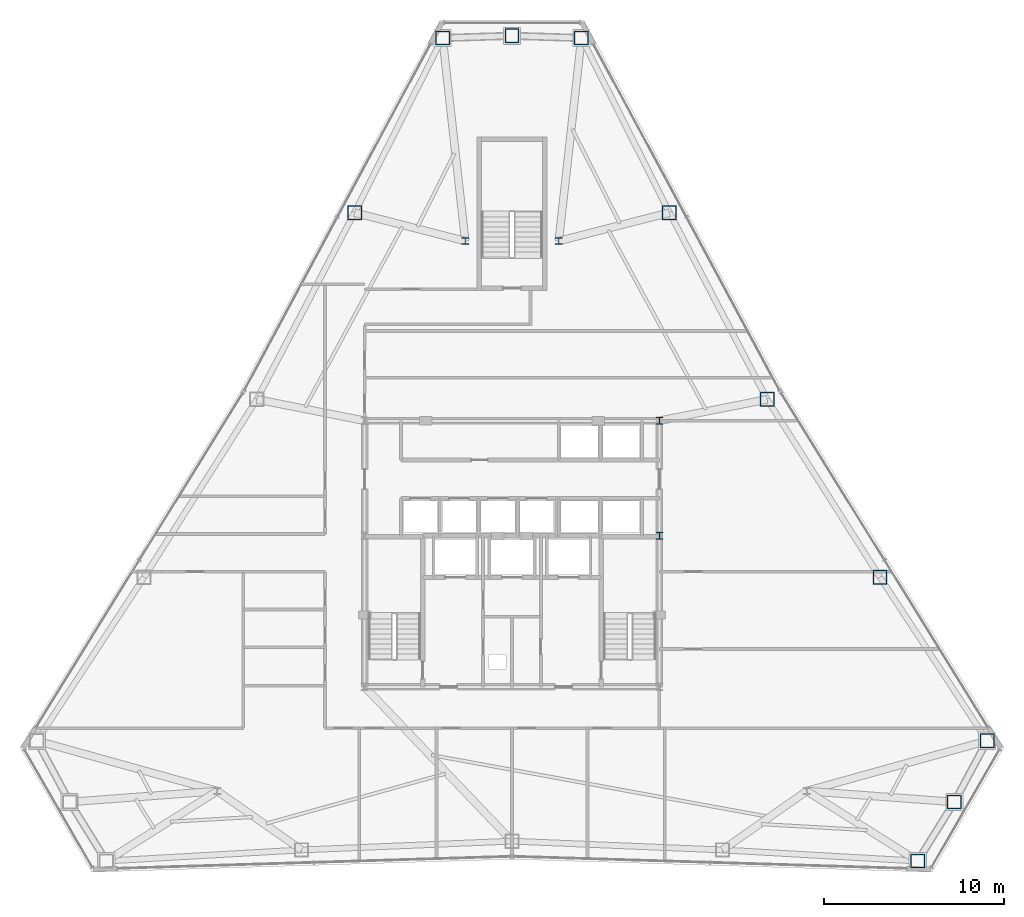
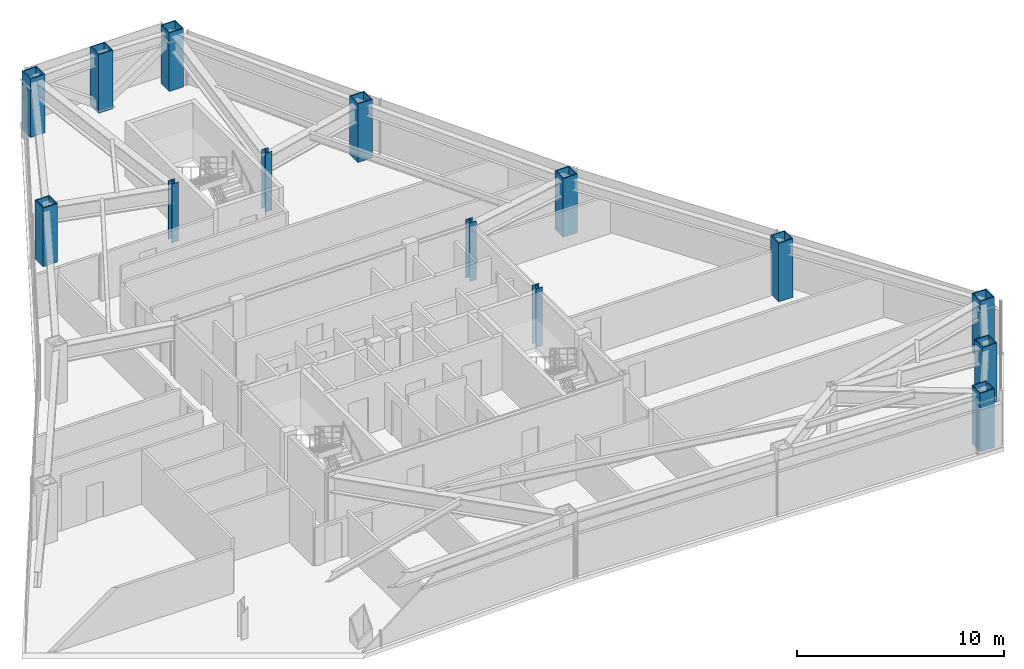
# One storey, part 2 of 13: 14 columns.
"""IFC4 building model written with IfcOpenShell, lengths in metres."""

from ifc_helpers import new_model, si_unit, direction, frame, origin, origin_2d, place, context, subcontext, project, spatial, hollow_rectangle, i_section, extrude, material, material_profile, profile_set, type_object, element, save


model = new_model("IFC4")

# Units and contexts
model_context = context("Model", 3, precision=1e-05, world=origin(), true_north=direction((0.0, 1.0)))
body_context = subcontext(model_context, "Body", "Model", "MODEL_VIEW")
ifc_project = project(units=[si_unit("LENGTHUNIT", "METRE"), si_unit("AREAUNIT", "SQUARE_METRE"), si_unit("VOLUMEUNIT", "CUBIC_METRE"), si_unit("PLANEANGLEUNIT", "RADIAN"), si_unit("MASSUNIT", "GRAM", prefix="KILO")], contexts=[model_context])

# Site, building, storey
site_placement = place(None, origin())
site = spatial("IfcSite", under=ifc_project, at=site_placement, CompositionType="ELEMENT")
building_placement = place(site_placement, origin())
building = spatial("IfcBuilding", under=site, at=building_placement, Name="Varakhsha Concourse Tower", CompositionType="ELEMENT")
storey_placement = place(building_placement, frame((0.0, 0.0, 165.449951171875)))
storey = spatial("IfcBuildingStorey", under=building, at=storey_placement, Name="L47", CompositionType="ELEMENT", Elevation=165.449951171875)

# Columns
ifc_material_1 = material(Name="Structural Steel ASTM A992 Grade 50", Category="steel")
ifc_material_profile_1 = material_profile(ifc_material_1, i_section(OverallWidth=0.3740234375, OverallDepth=0.3720703125, WebThickness=0.01611328125, FlangeThickness=0.02587890625, at=origin_2d()), Name="W14X132")
ifc_profile_set_1 = profile_set([ifc_material_profile_1], Name="Structural Steel ASTM A992 Grade 50")
column_type_1 = type_object("IfcColumnType", Name="CL-CORE-W14X132", PredefinedType="COLUMN", material=ifc_profile_set_1)
for number, where, z_axis, x_axis, name in (
    (1, (48.199951171875, 24.800048828125, 0.0), (0.0, 0.0, 1.0), (1.0, 0.0, 0.0), "L47 Core Column CC-ME"),
    (2, (48.199951171875, 31.199951171875, 0.0), (0.0, 0.0, 1.0), (1.0, 0.0, 0.0), "L47 Core Column CC-NE"),
    (3, (37.39990234375, 41.199951171875, 0.0), (0.0, 0.0, 1.0), (1.0, 0.0, 0.0), "L47 Core Column NS-W"),
    (4, (42.60009765625, 41.199951171875, 0.0), (0.0, 0.0, 1.0), (1.0, 0.0, 0.0), "L47 Core Column NS-E"),
):
    element("IfcColumn", number, at=place(storey_placement, frame(where, z_axis=z_axis, x_axis=x_axis)), inside=storey, type_object=column_type_1, Name=name, PredefinedType="COLUMN", context=body_context, shape_type="SweptSolid", body=[
        extrude(i_section(OverallWidth=0.3740234375, OverallDepth=0.3720703125, WebThickness=0.01611328125, FlangeThickness=0.02587890625, at=origin_2d()), origin(), (0.0, 0.0, 1.0), 3.449951171875),
    ])
ifc_material_2 = material(Name="Structural Steel ASTM A572 Grade 50", Category="steel")
ifc_material_profile_2 = material_profile(ifc_material_2, hollow_rectangle(XDim=0.800048828125, YDim=0.800048828125, WallThickness=0.054931640625, at=origin_2d()), Name="BOX 800x800x55")
ifc_profile_set_2 = profile_set([ifc_material_profile_2], Name="Structural Steel ASTM A572 Grade 50")
column_type_2 = type_object("IfcColumnType", Name="CL-TUBE-800", PredefinedType="COLUMN", material=ifc_profile_set_2)
for number, where, z_axis, x_axis, name in (
    (5, (43.863037109375, 52.495849609375, 0.0), (0.0, 0.0, 1.0), (1.0, 0.0, 0.0), "L47 Framed-Tube Column TC01"),
    (6, (40.0, 52.618408203125, 0.0), (0.0, 0.0, 1.0), (1.0, 0.0, 0.0), "L47 Framed-Tube Column TC02"),
    (7, (36.136962890625, 52.495849609375, 0.0), (0.0, 0.0, 1.0), (1.0, 0.0, 0.0), "L47 Framed-Tube Column TC03"),
    (8, (31.240966796875, 42.78271484375, 0.0), (0.0, 0.0, 1.0), (1.0, 0.0, 0.0), "L47 Framed-Tube Column TC04"),
    (9, (62.5732421875, 6.70654296875, 0.0), (0.0, 0.0, 1.0), (1.0, 0.0, 0.0), "L47 Framed-Tube Column TC13"),
    (10, (64.611083984375, 9.99072265625, 0.0), (0.0, 0.0, 1.0), (1.0, 0.0, 0.0), "L47 Framed-Tube Column TC14"),
    (11, (66.436279296875, 13.397705078125, 0.0), (0.0, 0.0, 1.0), (1.0, 0.0, 0.0), "L47 Framed-Tube Column TC15"),
    (12, (60.47265625, 22.494384765625, 0.0), (0.0, 0.0, 1.0), (1.0, 0.0, 0.0), "L47 Framed-Tube Column TC16"),
    (13, (54.192138671875, 32.393798828125, 0.0), (0.0, 0.0, 1.0), (1.0, 0.0, 0.0), "L47 Framed-Tube Column TC17"),
    (14, (48.759033203125, 42.78271484375, 0.0), (0.0, 0.0, 1.0), (1.0, 0.0, 0.0), "L47 Framed-Tube Column TC18"),
):
    element("IfcColumn", number, at=place(storey_placement, frame(where, z_axis=z_axis, x_axis=x_axis)), inside=storey, type_object=column_type_2, Name=name, PredefinedType="COLUMN", context=body_context, shape_type="SweptSolid", body=[
        extrude(hollow_rectangle(XDim=0.800048828125, YDim=0.800048828125, WallThickness=0.054931640625, at=origin_2d()), origin(), (0.0, 0.0, 1.0), 3.449951171875),
    ])

save(model, "model.ifc")
